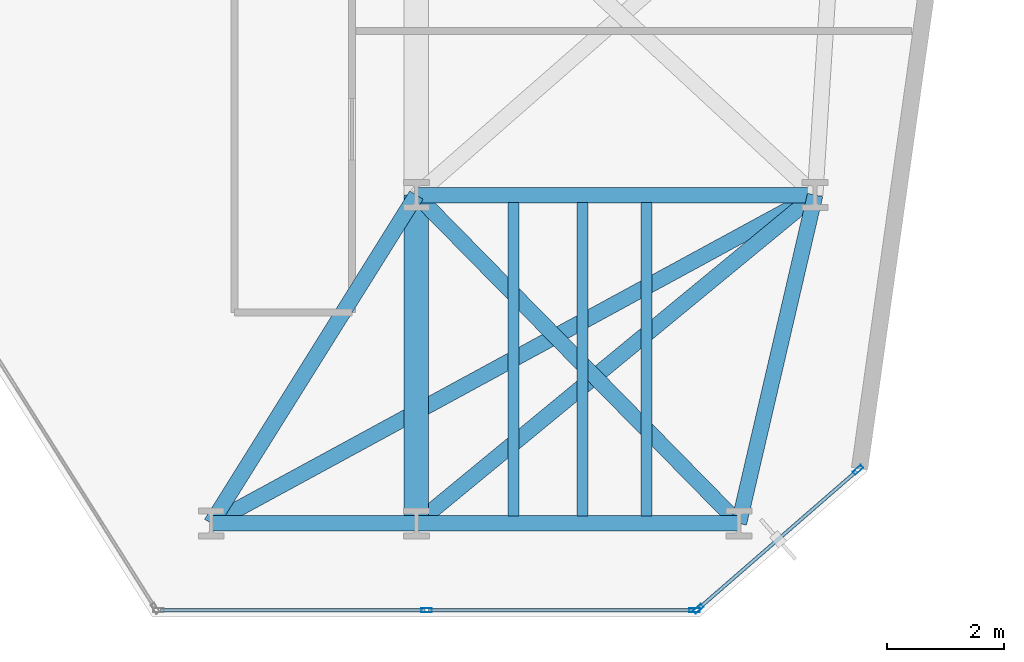
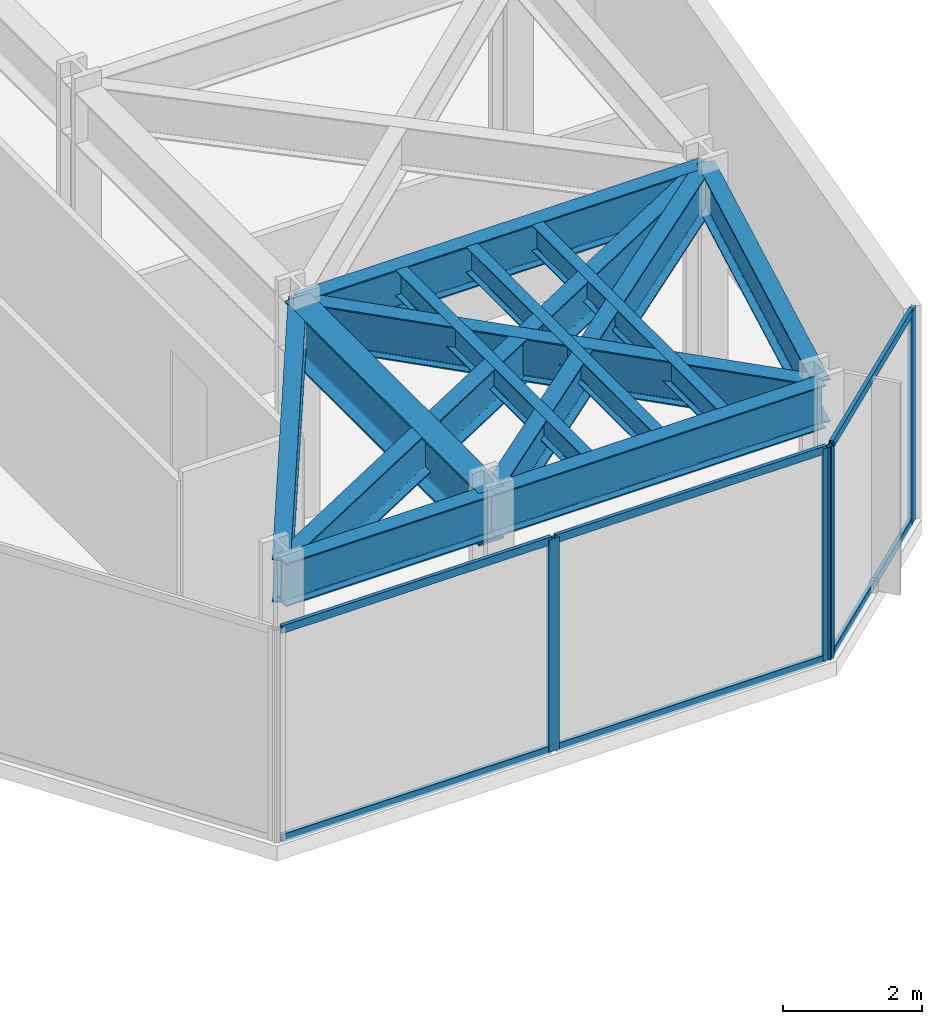
# One storey, part 13 of 25: 12 beams, 10 members, 2 elements without a shape of their own.
"""IFC4 building model written with IfcOpenShell, lengths in metres."""

from ifc_helpers import new_model, si_unit, direction, frame, origin, origin_2d, place, context, subcontext, project, spatial, hollow_rectangle, i_section, extrude, material, layer, layer_set, material_profile, profile_set, type_object, element, aggregate, save


model = new_model("IFC4")

# Units and contexts
model_context = context("Model", 3, precision=1e-05, world=origin(), true_north=direction((0.0, 1.0)))
body_context = subcontext(model_context, "Body", "Model", "MODEL_VIEW")
ifc_project = project(units=[si_unit("LENGTHUNIT", "METRE"), si_unit("AREAUNIT", "SQUARE_METRE"), si_unit("VOLUMEUNIT", "CUBIC_METRE"), si_unit("PLANEANGLEUNIT", "RADIAN"), si_unit("MASSUNIT", "GRAM", prefix="KILO")], contexts=[model_context])

# Site, building, storey
site_placement = place(None, origin())
site = spatial("IfcSite", under=ifc_project, at=site_placement, CompositionType="ELEMENT")
building_placement = place(site_placement, origin())
building = spatial("IfcBuilding", under=site, at=building_placement, Name="Kravanh Interchange Tower", CompositionType="ELEMENT")
storey_placement = place(building_placement, frame((0.0, 0.0, 33.5)))
storey = spatial("IfcBuildingStorey", under=building, at=storey_placement, Name="L07", CompositionType="ELEMENT", Elevation=33.5)

# Curtain wall, members
ifc_material_1 = material(Name="Anodised Bronze Aluminium", Category="aluminium")
ifc_layer = layer(ifc_material_1, 0.179931640625)
ifc_layer_set = layer_set([ifc_layer], Name="Unitised Curtain Wall System CW-Z1 Lower Office")
curtain_wall_type = type_object("IfcCurtainWallType", Name="Unitised Curtain Wall System CW-Z1 Lower Office", PredefinedType="NOTDEFINED", material=ifc_layer_set)
curtain_wall_1_placement = place(storey_placement, origin())
curtain_wall_1 = element("IfcCurtainWall", 1, at=curtain_wall_1_placement, inside=storey, type_object=curtain_wall_type, Name="L07 Unitised Curtain Wall CW-L07-02", PredefinedType="NOTDEFINED")
ifc_material_2 = material(Name="Anodised Bronze Aluminium", Category="aluminium")
ifc_material_profile_1 = material_profile(ifc_material_2, hollow_rectangle(XDim=0.070068359375, YDim=0.179931640625, WallThickness=0.00390625, at=origin_2d()), Name="ALU70X180X4")
ifc_profile_set_1 = profile_set([ifc_material_profile_1], Name="Anodised Bronze Aluminium")
member_type_1 = type_object("IfcMemberType", Name="Curtain Wall Mullion ALU70X180X4 Bronze", PredefinedType="MULLION", material=ifc_profile_set_1)
member_1_placement = place(storey_placement, frame((63.533203125, 3.513916015625, 0.0), z_axis=(0.0, 0.0, 1.0), x_axis=(0.656060422341, -0.754708368999, 0.0)))
member_1 = element("IfcMember", 2, at=member_1_placement, type_object=member_type_1, Name="CW-Z1 mullion 1", PredefinedType="MULLION", context=body_context, shape_type="SweptSolid", body=[
    extrude(hollow_rectangle(XDim=0.070068359375, YDim=0.179931640625, WallThickness=0.00390625, at=origin_2d()), origin(), (0.0, 0.0, 1.0), 3.739990234375),
])
member_2_placement = place(storey_placement, frame((60.805908203125, 1.14306640625, 0.0), z_axis=(0.0, 0.0, 1.0), x_axis=(0.656060422341, -0.754708368999, 0.0)))
member_2 = element("IfcMember", 3, at=member_2_placement, type_object=member_type_1, Name="CW-Z1 mullion 2", PredefinedType="MULLION", context=body_context, shape_type="SweptSolid", body=[
    extrude(hollow_rectangle(XDim=0.070068359375, YDim=0.179931640625, WallThickness=0.00390625, at=origin_2d()), origin(), (0.0, 0.0, 1.0), 3.739990234375),
])

curtain_wall_2_placement = place(storey_placement, origin())
curtain_wall_2 = element("IfcCurtainWall", 4, at=curtain_wall_2_placement, inside=storey, type_object=curtain_wall_type, Name="L07 Unitised Curtain Wall CW-L07-03", PredefinedType="NOTDEFINED")
member_3_placement = place(storey_placement, frame((60.744384765625, 1.1201171875, 0.0), z_axis=(0.0, 0.0, 1.0), x_axis=(0.0, -1.0, 0.0)))
member_3 = element("IfcMember", 5, at=member_3_placement, type_object=member_type_1, Name="CW-Z1 mullion 1", PredefinedType="MULLION", context=body_context, shape_type="SweptSolid", body=[
    extrude(hollow_rectangle(XDim=0.070068359375, YDim=0.179931640625, WallThickness=0.00390625, at=origin_2d()), origin(), (0.0, 0.0, 1.0), 3.739990234375),
])
member_4_placement = place(storey_placement, frame((56.1728515625, 1.1201171875, 0.0), z_axis=(0.0, 0.0, 1.0), x_axis=(0.0, -1.0, 0.0)))
member_4 = element("IfcMember", 6, at=member_4_placement, type_object=member_type_1, Name="CW-Z1 mullion 2", PredefinedType="MULLION", context=body_context, shape_type="SweptSolid", body=[
    extrude(hollow_rectangle(XDim=0.070068359375, YDim=0.179931640625, WallThickness=0.00390625, at=origin_2d()), origin(), (0.0, 0.0, 1.0), 3.739990234375),
])

# Member
ifc_material_3 = material(Name="Anodised Bronze Aluminium", Category="aluminium")
ifc_material_profile_2 = material_profile(ifc_material_3, hollow_rectangle(XDim=0.06005859375, YDim=0.139892578125, WallThickness=0.00390625, at=origin_2d()), Name="ALU60X140X4")
ifc_profile_set_2 = profile_set([ifc_material_profile_2], Name="Anodised Bronze Aluminium")
member_type_2 = type_object("IfcMemberType", Name="Curtain Wall Transom ALU60X140X4 Bronze", PredefinedType="USERDEFINED", material=ifc_profile_set_2)
member_5_placement = place(storey_placement, frame((63.5068359375, 3.490966796875, 0.030029296875), z_axis=(-0.754710815466, -0.656057608004, 0.0), x_axis=(0.656057608004, -0.754710815466, 0.0)))
member_5 = element("IfcMember", 7, at=member_5_placement, type_object=member_type_2, Name="CW-Z1 transom 1.1", ObjectType="TRANSOM", PredefinedType="USERDEFINED", context=body_context, shape_type="SweptSolid", body=[
    extrude(hollow_rectangle(XDim=0.06005859375, YDim=0.139892578125, WallThickness=0.00390625, at=origin_2d()), origin(), (0.0, 0.0, 1.0), 3.543701171875),
])

member_6_placement = place(storey_placement, frame((63.5068359375, 3.490966796875, 3.7099609375), z_axis=(-0.754710815466, -0.656057608004, 0.0), x_axis=(0.656057608004, -0.754710815466, 0.0)))
member_6 = element("IfcMember", 8, at=member_6_placement, type_object=member_type_2, Name="CW-Z1 transom 1.2", ObjectType="TRANSOM", PredefinedType="USERDEFINED", context=body_context, shape_type="SweptSolid", body=[
    extrude(hollow_rectangle(XDim=0.06005859375, YDim=0.139892578125, WallThickness=0.00390625, at=origin_2d()), origin(), (0.0, 0.0, 1.0), 3.543701171875),
])

aggregate(curtain_wall_1, [member_1, member_2, member_5, member_6])

member_7_placement = place(storey_placement, frame((60.70947265625, 1.1201171875, 0.030029296875), z_axis=(-1.0, 0.0, 0.0), x_axis=(0.0, -1.0, 0.0)))
member_7 = element("IfcMember", 9, at=member_7_placement, type_object=member_type_2, Name="CW-Z1 transom 1.1", ObjectType="TRANSOM", PredefinedType="USERDEFINED", context=body_context, shape_type="SweptSolid", body=[
    extrude(hollow_rectangle(XDim=0.06005859375, YDim=0.139892578125, WallThickness=0.00390625, at=origin_2d()), origin(), (0.0, 0.0, 1.0), 4.501708984375),
])

member_8_placement = place(storey_placement, frame((60.70947265625, 1.1201171875, 3.7099609375), z_axis=(-1.0, 0.0, 0.0), x_axis=(0.0, -1.0, 0.0)))
member_8 = element("IfcMember", 10, at=member_8_placement, type_object=member_type_2, Name="CW-Z1 transom 1.2", ObjectType="TRANSOM", PredefinedType="USERDEFINED", context=body_context, shape_type="SweptSolid", body=[
    extrude(hollow_rectangle(XDim=0.06005859375, YDim=0.139892578125, WallThickness=0.00390625, at=origin_2d()), origin(), (0.0, 0.0, 1.0), 4.501708984375),
])

member_9_placement = place(storey_placement, frame((56.1376953125, 1.1201171875, 0.030029296875), z_axis=(-1.0, 0.0, 0.0), x_axis=(0.0, -1.0, 0.0)))
member_9 = element("IfcMember", 11, at=member_9_placement, type_object=member_type_2, Name="CW-Z1 transom 2.1", ObjectType="TRANSOM", PredefinedType="USERDEFINED", context=body_context, shape_type="SweptSolid", body=[
    extrude(hollow_rectangle(XDim=0.06005859375, YDim=0.139892578125, WallThickness=0.00390625, at=origin_2d()), origin(), (0.0, 0.0, 1.0), 4.50146484375),
])

member_10_placement = place(storey_placement, frame((56.1376953125, 1.1201171875, 3.7099609375), z_axis=(-1.0, 0.0, 0.0), x_axis=(0.0, -1.0, 0.0)))
member_10 = element("IfcMember", 12, at=member_10_placement, type_object=member_type_2, Name="CW-Z1 transom 2.2", ObjectType="TRANSOM", PredefinedType="USERDEFINED", context=body_context, shape_type="SweptSolid", body=[
    extrude(hollow_rectangle(XDim=0.06005859375, YDim=0.139892578125, WallThickness=0.00390625, at=origin_2d()), origin(), (0.0, 0.0, 1.0), 4.50146484375),
])

aggregate(curtain_wall_2, [member_3, member_4, member_7, member_8, member_9, member_10])

# Beams
ifc_material_4 = material(Name="Structural Steel S355", Category="steel")
ifc_material_profile_3 = material_profile(ifc_material_4, i_section(OverallWidth=0.41796875, OverallDepth=0.927001953125, WebThickness=0.019287109375, FlangeThickness=0.031982421875, FilletRadius=0.028076171875, at=origin_2d()), Name="W36X231")
ifc_profile_set_3 = profile_set([ifc_material_profile_3], Name="Structural Steel S355")
beam_type_1 = type_object("IfcBeamType", Name="Floor Beam W36X231 Structural Steel S355", PredefinedType="BEAM", material=ifc_profile_set_3)
beam_1_placement = place(storey_placement, frame((56.0, 2.60009765625, 3.276611328125), z_axis=(0.0, 1.0, 0.0), x_axis=(-1.0, 0.0, 0.0)))
element("IfcBeam", 13, at=beam_1_placement, inside=storey, type_object=beam_type_1, Name="L07 Primary Floor Girder 129", PredefinedType="BEAM", context=body_context, shape_type="SweptSolid", body=[
    extrude(i_section(OverallWidth=0.41796875, OverallDepth=0.927001953125, WebThickness=0.019287109375, FlangeThickness=0.031982421875, FilletRadius=0.028076171875, at=origin_2d()), origin(), (0.0, 0.0, 1.0), 5.599853515625),
])
ifc_material_5 = material(Name="Structural Steel S355", Category="steel")
ifc_material_profile_4 = material_profile(ifc_material_5, i_section(OverallWidth=0.18994140625, OverallDepth=0.45703125, WebThickness=0.009033203125, FlangeThickness=0.014404296875, FilletRadius=0.01806640625, at=origin_2d()), Name="W18X50")
ifc_profile_set_4 = profile_set([ifc_material_profile_4], Name="Structural Steel S355")
beam_type_2 = type_object("IfcBeamType", Name="Floor Joist W18X50 Structural Steel S355", PredefinedType="JOIST", material=ifc_profile_set_4)
for number, where, z_axis, x_axis, name in (
    (14, (57.657958984375, 2.728515625, 3.511474609375), (0.0, 1.0, 0.0), (-1.0, 0.0, 0.0), "L07 Secondary Floor Joist 7"),
    (15, (58.833984375, 2.728515625, 3.511474609375), (0.0, 1.0, 0.0), (-1.0, 0.0, 0.0), "L07 Secondary Floor Joist 8"),
    (16, (59.926025390625, 2.728515625, 3.511474609375), (0.0, 1.0, 0.0), (-1.0, 0.0, 0.0), "L07 Secondary Floor Joist 9"),
):
    element("IfcBeam", number, at=place(storey_placement, frame(where, z_axis=z_axis, x_axis=x_axis)), inside=storey, type_object=beam_type_2, Name=name, PredefinedType="JOIST", context=body_context, shape_type="SweptSolid", body=[
        extrude(i_section(OverallWidth=0.18994140625, OverallDepth=0.45703125, WebThickness=0.009033203125, FlangeThickness=0.014404296875, FilletRadius=0.01806640625, at=origin_2d()), origin(), (0.0, 0.0, 1.0), 5.343017578125),
    ])
ifc_material_6 = material(Name="Structural Steel S355", Category="steel")
ifc_material_profile_5 = material_profile(ifc_material_6, i_section(OverallWidth=0.26708984375, OverallDepth=0.761962890625, WebThickness=0.014404296875, FlangeThickness=0.021484375, FilletRadius=0.02490234375, at=origin_2d()), Name="W30X116")
ifc_profile_set_5 = profile_set([ifc_material_profile_5], Name="Structural Steel S355")
beam_type_3 = type_object("IfcBeamType", Name="Floor Spandrel W30X116 Structural Steel S355", PredefinedType="SPANDREL", material=ifc_profile_set_5)
beam_2_placement = place(storey_placement, frame((52.5, 2.60009765625, 3.35888671875), z_axis=(1.0, 0.0, 0.0), x_axis=(0.0, 1.0, 0.0)))
element("IfcBeam", 17, at=beam_2_placement, inside=storey, type_object=beam_type_3, Name="L07 Perimeter Spandrel 125", PredefinedType="SPANDREL", context=body_context, shape_type="SweptSolid", body=[
    extrude(i_section(OverallWidth=0.26708984375, OverallDepth=0.761962890625, WebThickness=0.014404296875, FlangeThickness=0.021484375, FilletRadius=0.02490234375, at=origin_2d()), origin(), (0.0, 0.0, 1.0), 3.5),
])
beam_3_placement = place(storey_placement, frame((52.5, 2.60009765625, 3.35888671875), z_axis=(0.530008909536, 0.847992072965, 0.0), x_axis=(-0.847992072965, 0.530008909536, 0.0)))
element("IfcBeam", 18, at=beam_3_placement, inside=storey, type_object=beam_type_3, Name="L07 Perimeter Spandrel 126", PredefinedType="SPANDREL", context=body_context, shape_type="SweptSolid", body=[
    extrude(i_section(OverallWidth=0.26708984375, OverallDepth=0.761962890625, WebThickness=0.014404296875, FlangeThickness=0.021484375, FilletRadius=0.02490234375, at=origin_2d()), origin(), (0.0, 0.0, 1.0), 6.603759765625),
])
beam_4_placement = place(storey_placement, frame((52.5, 2.60009765625, 3.35888671875), z_axis=(0.878552895081, 0.47764506754, 0.0), x_axis=(-0.47764506754, 0.878552895081, 0.0)))
element("IfcBeam", 19, at=beam_4_placement, inside=storey, type_object=beam_type_3, Name="L07 Perimeter Spandrel 127", PredefinedType="SPANDREL", context=body_context, shape_type="SweptSolid", body=[
    extrude(i_section(OverallWidth=0.26708984375, OverallDepth=0.761962890625, WebThickness=0.014404296875, FlangeThickness=0.021484375, FilletRadius=0.02490234375, at=origin_2d()), origin(), (0.0, 0.0, 1.0), 11.723876953125),
])
beam_5_placement = place(storey_placement, frame((56.0, 2.60009765625, 3.35888671875), z_axis=(1.0, 0.0, 0.0), x_axis=(0.0, 1.0, 0.0)))
element("IfcBeam", 20, at=beam_5_placement, inside=storey, type_object=beam_type_3, Name="L07 Perimeter Spandrel 128", PredefinedType="SPANDREL", context=body_context, shape_type="SweptSolid", body=[
    extrude(i_section(OverallWidth=0.26708984375, OverallDepth=0.761962890625, WebThickness=0.014404296875, FlangeThickness=0.021484375, FilletRadius=0.02490234375, at=origin_2d()), origin(), (0.0, 0.0, 1.0), 5.5),
])
beam_6_placement = place(storey_placement, frame((56.0, 2.60009765625, 3.35888671875), z_axis=(0.771940635711, 0.635694623965, 0.0), x_axis=(-0.635694623965, 0.771940635711, 0.0)))
element("IfcBeam", 21, at=beam_6_placement, inside=storey, type_object=beam_type_3, Name="L07 Perimeter Spandrel 130", PredefinedType="SPANDREL", context=body_context, shape_type="SweptSolid", body=[
    extrude(i_section(OverallWidth=0.26708984375, OverallDepth=0.761962890625, WebThickness=0.014404296875, FlangeThickness=0.021484375, FilletRadius=0.02490234375, at=origin_2d()), origin(), (0.0, 0.0, 1.0), 8.80908203125),
])
beam_7_placement = place(storey_placement, frame((61.5, 2.60009765625, 3.35888671875), z_axis=(0.226143379252, 0.974094026273, 0.0), x_axis=(-0.974094026273, 0.226143379252, 0.0)))
element("IfcBeam", 22, at=beam_7_placement, inside=storey, type_object=beam_type_3, Name="L07 Perimeter Spandrel 131", PredefinedType="SPANDREL", context=body_context, shape_type="SweptSolid", body=[
    extrude(i_section(OverallWidth=0.26708984375, OverallDepth=0.761962890625, WebThickness=0.014404296875, FlangeThickness=0.021484375, FilletRadius=0.02490234375, at=origin_2d()), origin(), (0.0, 0.0, 1.0), 5.748779296875),
])
beam_8_placement = place(storey_placement, frame((61.5, 2.60009765625, 3.35888671875), z_axis=(-0.700717344595, 0.71343899738, 0.0), x_axis=(-0.71343899738, -0.700717344595, 0.0)))
element("IfcBeam", 23, at=beam_8_placement, inside=storey, type_object=beam_type_3, Name="L07 Perimeter Spandrel 132", PredefinedType="SPANDREL", context=body_context, shape_type="SweptSolid", body=[
    extrude(i_section(OverallWidth=0.26708984375, OverallDepth=0.761962890625, WebThickness=0.014404296875, FlangeThickness=0.021484375, FilletRadius=0.02490234375, at=origin_2d()), origin(), (0.0, 0.0, 1.0), 7.84912109375),
])
beam_9_placement = place(storey_placement, frame((56.0, 8.199951171875, 3.35888671875), z_axis=(1.0, 0.0, 0.0), x_axis=(0.0, 1.0, 0.0)))
element("IfcBeam", 24, at=beam_9_placement, inside=storey, type_object=beam_type_3, Name="L07 Perimeter Spandrel 142", PredefinedType="SPANDREL", context=body_context, shape_type="SweptSolid", body=[
    extrude(i_section(OverallWidth=0.26708984375, OverallDepth=0.761962890625, WebThickness=0.014404296875, FlangeThickness=0.021484375, FilletRadius=0.02490234375, at=origin_2d()), origin(), (0.0, 0.0, 1.0), 6.800048828125),
])

save(model, "model.ifc")
